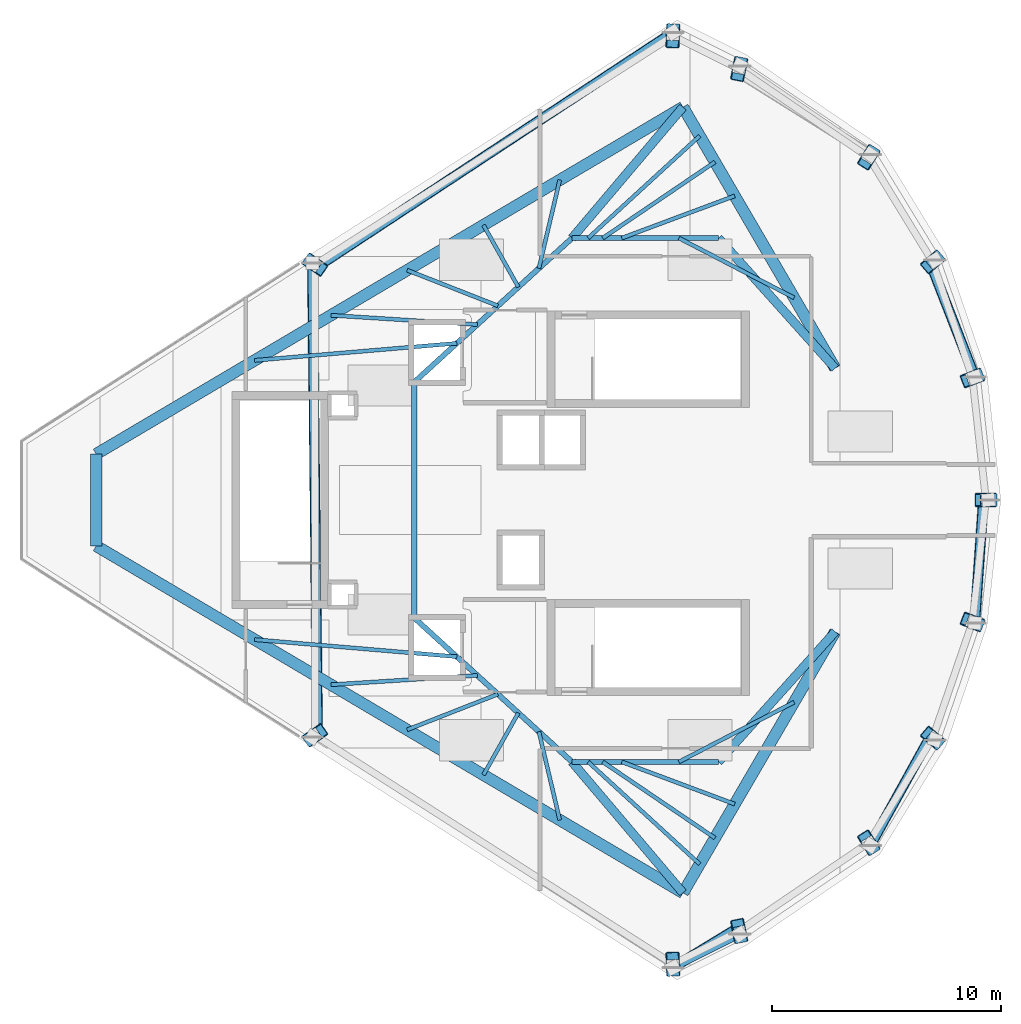
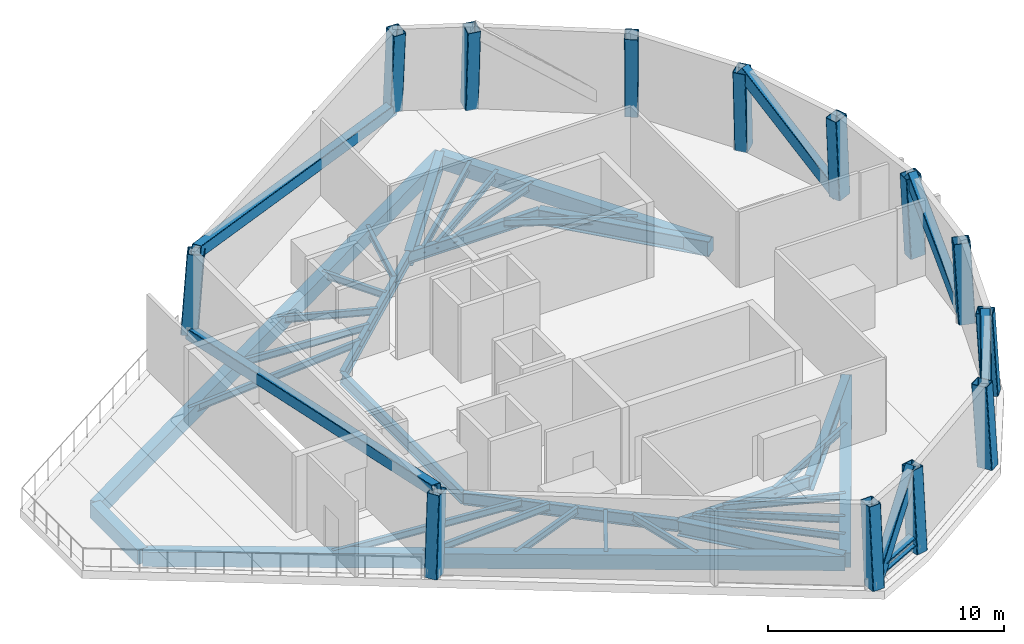
# One storey, part 1 of 4: 32 beams, 20 members.
"""IFC4 building model written with IfcOpenShell, lengths in metres."""

from ifc_helpers import new_model, si_unit, direction, frame, origin, origin_2d, place, context, subcontext, project, spatial, rectangle, hollow_rectangle, i_section, extrude, material, material_profile, profile_set, type_object, element, save


model = new_model("IFC4")

# Units and contexts
model_context = context("Model", 3, precision=1e-05, world=origin(), true_north=direction((0.0, 1.0)))
body_context = subcontext(model_context, "Body", "Model", "MODEL_VIEW")
ifc_project = project(units=[si_unit("LENGTHUNIT", "METRE"), si_unit("AREAUNIT", "SQUARE_METRE"), si_unit("VOLUMEUNIT", "CUBIC_METRE"), si_unit("PLANEANGLEUNIT", "RADIAN"), si_unit("MASSUNIT", "GRAM", prefix="KILO")], contexts=[model_context])

# Site, building, storey
site_placement = place(None, origin())
site = spatial("IfcSite", under=ifc_project, at=site_placement, CompositionType="ELEMENT")
building_placement = place(site_placement, origin())
building = spatial("IfcBuilding", under=site, at=building_placement, Name="Qorvath Tower", CompositionType="ELEMENT")
storey_placement = place(building_placement, frame((0.0, 0.0, 327.0)))
storey = spatial("IfcBuildingStorey", under=building, at=storey_placement, Name="L76", CompositionType="ELEMENT", Elevation=327.0)

# Beams
ifc_material_1 = material(Name="Steel ASTM A992 Grade 50", Category="steel")
ifc_material_profile_1 = material_profile(ifc_material_1, i_section(OverallWidth=0.381103515625, OverallDepth=0.77294921875, WebThickness=0.0166015625, FlangeThickness=0.027099609375, FilletRadius=0.01904296875, at=origin_2d()), Name="W30x173")
ifc_profile_set_1 = profile_set([ifc_material_profile_1], Name="Steel ASTM A992 Grade 50")
beam_type_1 = type_object("IfcBeamType", Name="BM-FG3", PredefinedType="BEAM", material=ifc_profile_set_1)
beam_1_placement = place(storey_placement, frame((-23.60009765625, 11.449951171875, -0.806396484375), z_axis=(0.646321389876, 0.763065305848, 0.0), x_axis=(-0.763065305848, 0.646321389876, 0.0)))
element("IfcBeam", 1, at=beam_1_placement, inside=storey, type_object=beam_type_1, Name="Radial Floor Girder CC1-MC6 L76", PredefinedType="BEAM", context=body_context, shape_type="SweptSolid", body=[
    extrude(i_section(OverallWidth=0.381103515625, OverallDepth=0.77294921875, WebThickness=0.0166015625, FlangeThickness=0.027099609375, FilletRadius=0.01904296875, at=origin_2d()), origin(), (0.0, 0.0, 1.0), 7.50341796875),
])
for number, where, z_axis, x_axis, name in (
    (2, (-17.199951171875, 11.449951171875, -0.806396484375), (0.667543184261, -0.744571082669, 0.0), (0.744571082669, 0.667543184261, 0.0), "Radial Floor Girder CC2-MC5 L76"),
    (3, (-17.199951171875, -11.449951171875, -0.806396484375), (0.667543184261, 0.744571082669, 0.0), (-0.744571082669, 0.667543184261, 0.0), "Radial Floor Girder CC3-MC4 L76"),
):
    element("IfcBeam", number, at=place(storey_placement, frame(where, z_axis=z_axis, x_axis=x_axis)), inside=storey, type_object=beam_type_1, Name=name, PredefinedType="BEAM", context=body_context, shape_type="SweptSolid", body=[
        extrude(i_section(OverallWidth=0.381103515625, OverallDepth=0.77294921875, WebThickness=0.0166015625, FlangeThickness=0.027099609375, FilletRadius=0.01904296875, at=origin_2d()), origin(), (0.0, 0.0, 1.0), 7.644775390625),
    ])
beam_2_placement = place(storey_placement, frame((-23.60009765625, -11.449951171875, -0.806396484375), z_axis=(0.646321389876, -0.763065305848, 0.0), x_axis=(0.763065305848, 0.646321389876, 0.0)))
element("IfcBeam", 4, at=beam_2_placement, inside=storey, type_object=beam_type_1, Name="Radial Floor Girder CC4-MC3 L76", PredefinedType="BEAM", context=body_context, shape_type="SweptSolid", body=[
    extrude(i_section(OverallWidth=0.381103515625, OverallDepth=0.77294921875, WebThickness=0.0166015625, FlangeThickness=0.027099609375, FilletRadius=0.01904296875, at=origin_2d()), origin(), (0.0, 0.0, 1.0), 7.50341796875),
])
ifc_material_2 = material(Name="Steel ASTM A992 Grade 50", Category="steel")
ifc_material_profile_2 = material_profile(ifc_material_2, i_section(OverallWidth=0.22998046875, OverallDepth=0.616943359375, WebThickness=0.01318359375, FlangeThickness=0.022216796875, FilletRadius=0.014892578125, at=origin_2d()), Name="W24x94")
ifc_profile_set_2 = profile_set([ifc_material_profile_2], Name="Steel ASTM A992 Grade 50")
beam_type_2 = type_object("IfcBeamType", Name="BM-FG6", PredefinedType="BEAM", material=ifc_profile_set_2)
for number, where, z_axis, x_axis, name in (
    (5, (-23.60009765625, 11.449951171875, -0.728515625), (1.0, 0.0, 0.0), (0.0, 1.0, 0.0), "Core Ring Girder CC1-CC2 L76"),
    (6, (-17.199951171875, -11.449951171875, -0.728515625), (-1.0, 0.0, 0.0), (0.0, -1.0, 0.0), "Core Ring Girder CC3-CC4 L76"),
):
    element("IfcBeam", number, at=place(storey_placement, frame(where, z_axis=z_axis, x_axis=x_axis)), inside=storey, type_object=beam_type_2, Name=name, PredefinedType="BEAM", context=body_context, shape_type="SweptSolid", body=[
        extrude(i_section(OverallWidth=0.22998046875, OverallDepth=0.616943359375, WebThickness=0.01318359375, FlangeThickness=0.022216796875, FilletRadius=0.014892578125, at=origin_2d()), origin(), (0.0, 0.0, 1.0), 6.400146484375),
    ])
beam_3_placement = place(storey_placement, frame((-23.60009765625, -11.449951171875, -0.728515625), z_axis=(-0.73847813985, 0.6742774184, 0.0), x_axis=(-0.6742774184, -0.73847813985, 0.0)))
element("IfcBeam", 7, at=beam_3_placement, inside=storey, type_object=beam_type_2, Name="Core Ring Girder CC4-CC6 L76", PredefinedType="BEAM", context=body_context, shape_type="SweptSolid", body=[
    extrude(i_section(OverallWidth=0.22998046875, OverallDepth=0.616943359375, WebThickness=0.01318359375, FlangeThickness=0.022216796875, FilletRadius=0.014892578125, at=origin_2d()), origin(), (0.0, 0.0, 1.0), 9.343505859375),
])
beam_4_placement = place(storey_placement, frame((-30.5, -5.14990234375, -0.728515625), z_axis=(0.0, 1.0, 0.0), x_axis=(-1.0, 0.0, 0.0)))
element("IfcBeam", 8, at=beam_4_placement, inside=storey, type_object=beam_type_2, Name="Core Ring Girder CC6-CC5 L76", PredefinedType="BEAM", context=body_context, shape_type="SweptSolid", body=[
    extrude(i_section(OverallWidth=0.22998046875, OverallDepth=0.616943359375, WebThickness=0.01318359375, FlangeThickness=0.022216796875, FilletRadius=0.014892578125, at=origin_2d()), origin(), (0.0, 0.0, 1.0), 10.2998046875),
])
beam_5_placement = place(storey_placement, frame((-30.5, 5.14990234375, -0.728515625), z_axis=(0.73847813985, 0.6742774184, 0.0), x_axis=(-0.6742774184, 0.73847813985, 0.0)))
element("IfcBeam", 9, at=beam_5_placement, inside=storey, type_object=beam_type_2, Name="Core Ring Girder CC5-CC1 L76", PredefinedType="BEAM", context=body_context, shape_type="SweptSolid", body=[
    extrude(i_section(OverallWidth=0.22998046875, OverallDepth=0.616943359375, WebThickness=0.01318359375, FlangeThickness=0.022216796875, FilletRadius=0.014892578125, at=origin_2d()), origin(), (0.0, 0.0, 1.0), 9.343505859375),
])
ifc_material_3 = material(Name="Steel ASTM A992 Grade 50", Category="steel")
ifc_material_profile_3 = material_profile(ifc_material_3, i_section(OverallWidth=0.1708984375, OverallDepth=0.35107421875, WebThickness=0.0068359375, FlangeThickness=0.009765625, FilletRadius=0.010009765625, at=origin_2d()), Name="W14x30")
ifc_profile_set_3 = profile_set([ifc_material_profile_3], Name="Steel ASTM A992 Grade 50")
beam_type_3 = type_object("IfcBeamType", Name="BM-FJ4", PredefinedType="JOIST", material=ifc_profile_set_3)
beam_6_placement = place(storey_placement, frame((-18.927978515625, 11.449951171875, -0.595458984375), z_axis=(0.887840529015, -0.460151274082, 0.0), x_axis=(0.460151274082, 0.887840529015, 0.0)))
element("IfcBeam", 10, at=beam_6_placement, inside=storey, type_object=beam_type_3, Name="Composite Floor Joist NE2 L76", PredefinedType="JOIST", context=body_context, shape_type="SweptSolid", body=[
    extrude(i_section(OverallWidth=0.1708984375, OverallDepth=0.35107421875, WebThickness=0.0068359375, FlangeThickness=0.009765625, FilletRadius=0.010009765625, at=origin_2d()), origin(), (0.0, 0.0, 1.0), 5.670654296875),
])
beam_7_placement = place(storey_placement, frame((-21.424072265625, 11.449951171875, -0.595458984375), z_axis=(0.936775909139, 0.349929844478, 0.0), x_axis=(-0.349929844478, 0.936775909139, 0.0)))
element("IfcBeam", 11, at=beam_7_placement, inside=storey, type_object=beam_type_3, Name="Composite Floor Joist NE5 L76", PredefinedType="JOIST", context=body_context, shape_type="SweptSolid", body=[
    extrude(i_section(OverallWidth=0.1708984375, OverallDepth=0.35107421875, WebThickness=0.0068359375, FlangeThickness=0.009765625, FilletRadius=0.010009765625, at=origin_2d()), origin(), (0.0, 0.0, 1.0), 5.268798828125),
])
beam_8_placement = place(storey_placement, frame((-22.256103515625, 11.449951171875, -0.595458984375), z_axis=(0.827400561462, 0.56161224247, 0.0), x_axis=(-0.56161224247, 0.827400561462, 0.0)))
element("IfcBeam", 12, at=beam_8_placement, inside=storey, type_object=beam_type_3, Name="Composite Floor Joist NE6 L76", PredefinedType="JOIST", context=body_context, shape_type="SweptSolid", body=[
    extrude(i_section(OverallWidth=0.1708984375, OverallDepth=0.35107421875, WebThickness=0.0068359375, FlangeThickness=0.009765625, FilletRadius=0.010009765625, at=origin_2d()), origin(), (0.0, 0.0, 1.0), 5.925537109375),
])
beam_9_placement = place(storey_placement, frame((-22.89599609375, 11.449951171875, -0.595458984375), z_axis=(0.737232260457, 0.675639396528, 0.0), x_axis=(-0.675639396528, 0.737232260457, 0.0)))
element("IfcBeam", 13, at=beam_9_placement, inside=storey, type_object=beam_type_3, Name="Composite Floor Joist NE7 L76", PredefinedType="JOIST", context=body_context, shape_type="SweptSolid", body=[
    extrude(i_section(OverallWidth=0.1708984375, OverallDepth=0.35107421875, WebThickness=0.0068359375, FlangeThickness=0.009765625, FilletRadius=0.010009765625, at=origin_2d()), origin(), (0.0, 0.0, 1.0), 6.615478515625),
])
beam_10_placement = place(storey_placement, frame((-18.927978515625, -11.449951171875, -0.595458984375), z_axis=(0.887840529015, 0.460151274082, 0.0), x_axis=(-0.460151274082, 0.887840529015, 0.0)))
element("IfcBeam", 14, at=beam_10_placement, inside=storey, type_object=beam_type_3, Name="Composite Floor Joist SE2 L76", PredefinedType="JOIST", context=body_context, shape_type="SweptSolid", body=[
    extrude(i_section(OverallWidth=0.1708984375, OverallDepth=0.35107421875, WebThickness=0.0068359375, FlangeThickness=0.009765625, FilletRadius=0.010009765625, at=origin_2d()), origin(), (0.0, 0.0, 1.0), 5.670654296875),
])
beam_11_placement = place(storey_placement, frame((-21.424072265625, -11.449951171875, -0.595458984375), z_axis=(0.936775909139, -0.349929844478, 0.0), x_axis=(0.349929844478, 0.936775909139, 0.0)))
element("IfcBeam", 15, at=beam_11_placement, inside=storey, type_object=beam_type_3, Name="Composite Floor Joist SE5 L76", PredefinedType="JOIST", context=body_context, shape_type="SweptSolid", body=[
    extrude(i_section(OverallWidth=0.1708984375, OverallDepth=0.35107421875, WebThickness=0.0068359375, FlangeThickness=0.009765625, FilletRadius=0.010009765625, at=origin_2d()), origin(), (0.0, 0.0, 1.0), 5.268798828125),
])
beam_12_placement = place(storey_placement, frame((-22.256103515625, -11.449951171875, -0.595458984375), z_axis=(0.827400561462, -0.56161224247, 0.0), x_axis=(0.56161224247, 0.827400561462, 0.0)))
element("IfcBeam", 16, at=beam_12_placement, inside=storey, type_object=beam_type_3, Name="Composite Floor Joist SE6 L76", PredefinedType="JOIST", context=body_context, shape_type="SweptSolid", body=[
    extrude(i_section(OverallWidth=0.1708984375, OverallDepth=0.35107421875, WebThickness=0.0068359375, FlangeThickness=0.009765625, FilletRadius=0.010009765625, at=origin_2d()), origin(), (0.0, 0.0, 1.0), 5.925537109375),
])
beam_13_placement = place(storey_placement, frame((-22.89599609375, -11.449951171875, -0.595458984375), z_axis=(0.737232260457, -0.675639396528, 0.0), x_axis=(0.675639396528, 0.737232260457, 0.0)))
element("IfcBeam", 17, at=beam_13_placement, inside=storey, type_object=beam_type_3, Name="Composite Floor Joist SE7 L76", PredefinedType="JOIST", context=body_context, shape_type="SweptSolid", body=[
    extrude(i_section(OverallWidth=0.1708984375, OverallDepth=0.35107421875, WebThickness=0.0068359375, FlangeThickness=0.009765625, FilletRadius=0.010009765625, at=origin_2d()), origin(), (0.0, 0.0, 1.0), 6.615478515625),
])
beam_14_placement = place(storey_placement, frame((-28.636962890625, 6.85107421875, -0.595458984375), z_axis=(-0.996436150147, -0.084350451576, 0.0), x_axis=(0.084350451576, -0.996436150147, 0.0)))
element("IfcBeam", 18, at=beam_14_placement, inside=storey, type_object=beam_type_3, Name="Composite Floor Joist NW2 L76", PredefinedType="JOIST", context=body_context, shape_type="SweptSolid", body=[
    extrude(i_section(OverallWidth=0.1708984375, OverallDepth=0.35107421875, WebThickness=0.0068359375, FlangeThickness=0.009765625, FilletRadius=0.010009765625, at=origin_2d()), origin(), (0.0, 0.0, 1.0), 8.87109375),
])
beam_15_placement = place(storey_placement, frame((-27.739990234375, 7.669921875, -0.595458984375), z_axis=(-0.998006998641, 0.063103333222, 0.0), x_axis=(-0.063103333222, -0.998006998641, 0.0)))
element("IfcBeam", 19, at=beam_15_placement, inside=storey, type_object=beam_type_3, Name="Composite Floor Joist NW3 L76", PredefinedType="JOIST", context=body_context, shape_type="SweptSolid", body=[
    extrude(i_section(OverallWidth=0.1708984375, OverallDepth=0.35107421875, WebThickness=0.0068359375, FlangeThickness=0.009765625, FilletRadius=0.010009765625, at=origin_2d()), origin(), (0.0, 0.0, 1.0), 6.41455078125),
])
beam_16_placement = place(storey_placement, frame((-26.843017578125, 8.489013671875, -0.595458984375), z_axis=(-0.930720832638, 0.365730408489, 0.0), x_axis=(-0.365730408489, -0.930720832638, 0.0)))
element("IfcBeam", 20, at=beam_16_placement, inside=storey, type_object=beam_type_3, Name="Composite Floor Joist NW4 L76", PredefinedType="JOIST", context=body_context, shape_type="SweptSolid", body=[
    extrude(i_section(OverallWidth=0.1708984375, OverallDepth=0.35107421875, WebThickness=0.0068359375, FlangeThickness=0.009765625, FilletRadius=0.010009765625, at=origin_2d()), origin(), (0.0, 0.0, 1.0), 4.259033203125),
])
beam_17_placement = place(storey_placement, frame((-25.946044921875, 9.30810546875, -0.595458984375), z_axis=(-0.490626385489, 0.871370041866, 0.0), x_axis=(-0.871370041866, -0.490626385489, 0.0)))
element("IfcBeam", 21, at=beam_17_placement, inside=storey, type_object=beam_type_3, Name="Composite Floor Joist NW5 L76", PredefinedType="JOIST", context=body_context, shape_type="SweptSolid", body=[
    extrude(i_section(OverallWidth=0.1708984375, OverallDepth=0.35107421875, WebThickness=0.0068359375, FlangeThickness=0.009765625, FilletRadius=0.010009765625, at=origin_2d()), origin(), (0.0, 0.0, 1.0), 3.110595703125),
])
beam_18_placement = place(storey_placement, frame((-25.049072265625, 10.126953125, -0.595458984375), z_axis=(0.22966321917, 0.973270160726, 0.0), x_axis=(-0.973270160726, 0.22966321917, 0.0)))
element("IfcBeam", 22, at=beam_18_placement, inside=storey, type_object=beam_type_3, Name="Composite Floor Joist NW6 L76", PredefinedType="JOIST", context=body_context, shape_type="SweptSolid", body=[
    extrude(i_section(OverallWidth=0.1708984375, OverallDepth=0.35107421875, WebThickness=0.0068359375, FlangeThickness=0.009765625, FilletRadius=0.010009765625, at=origin_2d()), origin(), (0.0, 0.0, 1.0), 3.969482421875),
])
beam_19_placement = place(storey_placement, frame((-28.636962890625, -6.85107421875, -0.595458984375), z_axis=(-0.996436150147, 0.084350451576, 0.0), x_axis=(-0.084350451576, -0.996436150147, 0.0)))
element("IfcBeam", 23, at=beam_19_placement, inside=storey, type_object=beam_type_3, Name="Composite Floor Joist SW2 L76", PredefinedType="JOIST", context=body_context, shape_type="SweptSolid", body=[
    extrude(i_section(OverallWidth=0.1708984375, OverallDepth=0.35107421875, WebThickness=0.0068359375, FlangeThickness=0.009765625, FilletRadius=0.010009765625, at=origin_2d()), origin(), (0.0, 0.0, 1.0), 8.87109375),
])
beam_20_placement = place(storey_placement, frame((-27.739990234375, -7.669921875, -0.595458984375), z_axis=(-0.998006998641, -0.063103333222, 0.0), x_axis=(0.063103333222, -0.998006998641, 0.0)))
element("IfcBeam", 24, at=beam_20_placement, inside=storey, type_object=beam_type_3, Name="Composite Floor Joist SW3 L76", PredefinedType="JOIST", context=body_context, shape_type="SweptSolid", body=[
    extrude(i_section(OverallWidth=0.1708984375, OverallDepth=0.35107421875, WebThickness=0.0068359375, FlangeThickness=0.009765625, FilletRadius=0.010009765625, at=origin_2d()), origin(), (0.0, 0.0, 1.0), 6.41455078125),
])
beam_21_placement = place(storey_placement, frame((-26.843017578125, -8.489013671875, -0.595458984375), z_axis=(-0.930720832638, -0.365730408489, 0.0), x_axis=(0.365730408489, -0.930720832638, 0.0)))
element("IfcBeam", 25, at=beam_21_placement, inside=storey, type_object=beam_type_3, Name="Composite Floor Joist SW4 L76", PredefinedType="JOIST", context=body_context, shape_type="SweptSolid", body=[
    extrude(i_section(OverallWidth=0.1708984375, OverallDepth=0.35107421875, WebThickness=0.0068359375, FlangeThickness=0.009765625, FilletRadius=0.010009765625, at=origin_2d()), origin(), (0.0, 0.0, 1.0), 4.259033203125),
])
beam_22_placement = place(storey_placement, frame((-25.946044921875, -9.30810546875, -0.595458984375), z_axis=(-0.490626385489, -0.871370041866, 0.0), x_axis=(0.871370041866, -0.490626385489, 0.0)))
element("IfcBeam", 26, at=beam_22_placement, inside=storey, type_object=beam_type_3, Name="Composite Floor Joist SW5 L76", PredefinedType="JOIST", context=body_context, shape_type="SweptSolid", body=[
    extrude(i_section(OverallWidth=0.1708984375, OverallDepth=0.35107421875, WebThickness=0.0068359375, FlangeThickness=0.009765625, FilletRadius=0.010009765625, at=origin_2d()), origin(), (0.0, 0.0, 1.0), 3.110595703125),
])
beam_23_placement = place(storey_placement, frame((-25.049072265625, -10.126953125, -0.595458984375), z_axis=(0.22966321917, -0.973270160726, 0.0), x_axis=(0.973270160726, 0.22966321917, 0.0)))
element("IfcBeam", 27, at=beam_23_placement, inside=storey, type_object=beam_type_3, Name="Composite Floor Joist SW6 L76", PredefinedType="JOIST", context=body_context, shape_type="SweptSolid", body=[
    extrude(i_section(OverallWidth=0.1708984375, OverallDepth=0.35107421875, WebThickness=0.0068359375, FlangeThickness=0.009765625, FilletRadius=0.010009765625, at=origin_2d()), origin(), (0.0, 0.0, 1.0), 3.969482421875),
])
ifc_material_4 = material(Name="Concrete C45/55", Category="concrete")
ifc_material_profile_4 = material_profile(ifc_material_4, rectangle(XDim=0.5, YDim=0.75, at=origin_2d()), Name="RCB 750x500")
ifc_profile_set_4 = profile_set([ifc_material_profile_4], Name="Concrete C45/55")
beam_type_4 = type_object("IfcBeamType", Name="BM-RCB3", PredefinedType="SPANDREL", material=ifc_profile_set_4)
beam_24_placement = place(storey_placement, frame((-44.402587890625, 2.007568359375, -0.794921875), z_axis=(0.0, -1.0, 0.0), x_axis=(1.0, 0.0, 0.0)))
element("IfcBeam", 28, at=beam_24_placement, inside=storey, type_object=beam_type_4, Name="Perimeter Loggia Frame Beam MC1-MC2 L76", PredefinedType="SPANDREL", context=body_context, shape_type="SweptSolid", body=[
    extrude(rectangle(XDim=0.5, YDim=0.75, at=origin_2d()), origin(), (0.0, 0.0, 1.0), 4.01513671875),
])
beam_25_placement = place(storey_placement, frame((-44.402587890625, -2.007568359375, -0.794921875), z_axis=(0.860780849348, -0.508975765038, 0.0), x_axis=(0.508975765038, 0.860780849348, 0.0)))
element("IfcBeam", 29, at=beam_25_placement, inside=storey, type_object=beam_type_4, Name="Perimeter Loggia Frame Beam MC2-MC3 L76", PredefinedType="SPANDREL", context=body_context, shape_type="SweptSolid", body=[
    extrude(rectangle(XDim=0.5, YDim=0.75, at=origin_2d()), origin(), (0.0, 0.0, 1.0), 29.801025390625),
])
for number, where, z_axis, x_axis, name in (
    (30, (-18.75048828125, -17.175537109375, -0.794921875), (0.503502256692, 0.863993910572, 0.0), (-0.863993910572, 0.503502256692, 0.0), "Perimeter Loggia Frame Beam MC3-MC4 L76"),
    (31, (-12.0966796875, 5.7578125, -0.794921875), (-0.503502256692, 0.863993910572, 0.0), (-0.863993910572, -0.503502256692, 0.0), "Perimeter Loggia Frame Beam MC5-MC6 L76"),
):
    element("IfcBeam", number, at=place(storey_placement, frame(where, z_axis=z_axis, x_axis=x_axis)), inside=storey, type_object=beam_type_4, Name=name, PredefinedType="SPANDREL", context=body_context, shape_type="SweptSolid", body=[
        extrude(rectangle(XDim=0.5, YDim=0.75, at=origin_2d()), origin(), (0.0, 0.0, 1.0), 13.215087890625),
    ])
beam_26_placement = place(storey_placement, frame((-18.75048828125, 17.175537109375, -0.794921875), z_axis=(-0.860780849348, -0.508975765038, 0.0), x_axis=(0.508975765038, -0.860780849348, 0.0)))
element("IfcBeam", 32, at=beam_26_placement, inside=storey, type_object=beam_type_4, Name="Perimeter Loggia Frame Beam MC6-MC1 L76", PredefinedType="SPANDREL", context=body_context, shape_type="SweptSolid", body=[
    extrude(rectangle(XDim=0.5, YDim=0.75, at=origin_2d()), origin(), (0.0, 0.0, 1.0), 29.801025390625),
])

# Members
ifc_material_5 = material(Name="Steel ASTM A572 Grade 50", Category="steel")
ifc_material_profile_5 = material_profile(ifc_material_5, hollow_rectangle(XDim=0.60009765625, YDim=0.75, WallThickness=0.031982421875, InnerFilletRadius=0.031982421875, OuterFilletRadius=0.06396484375, at=origin_2d()), Name="CROWN BOX 750x600x32")
ifc_profile_set_5 = profile_set([ifc_material_profile_5], Name="Steel ASTM A572 Grade 50")
member_type_1 = type_object("IfcMemberType", Name="MEM-CF1", PredefinedType="USERDEFINED", material=ifc_profile_set_5)
for number, where, z_axis, x_axis, name in (
    (33, (-34.949951171875, 10.365478515625, 0.0), (0.053250579901, -0.036950565792, 0.997897305051), (0.570093876895, 0.821579558854, 0.0), "CROWN FRAME Post L76-01"),
    (34, (-34.949951171875, -10.365478515625, 0.0), (0.053250579901, 0.036950565792, 0.997897305051), (-0.570093876895, 0.821579558854, 0.0), "CROWN FRAME Post L76-02"),
):
    element("IfcMember", number, at=place(storey_placement, frame(where, z_axis=z_axis, x_axis=x_axis)), inside=storey, type_object=member_type_1, Name=name, ObjectType="CROWN FRAME", PredefinedType="USERDEFINED", context=body_context, shape_type="SweptSolid", body=[
        extrude(hollow_rectangle(XDim=0.60009765625, YDim=0.75, WallThickness=0.031982421875, InnerFilletRadius=0.031982421875, OuterFilletRadius=0.06396484375, at=origin_2d()), origin(), (0.0, 0.0, 1.0), 4.208740234375),
    ])
member_1_placement = place(storey_placement, frame((-19.1865234375, -20.440185546875, 0.0), z_axis=(-0.002898741935, 0.072816397399, 0.997341150041), x_axis=(-0.999208565601, -0.039777411051, 0.0)))
element("IfcMember", 35, at=member_1_placement, inside=storey, type_object=member_type_1, Name="CROWN FRAME Post L76-03", ObjectType="CROWN FRAME", PredefinedType="USERDEFINED", context=body_context, shape_type="SweptSolid", body=[
    extrude(hollow_rectangle(XDim=0.60009765625, YDim=0.75, WallThickness=0.031982421875, InnerFilletRadius=0.031982421875, OuterFilletRadius=0.06396484375, at=origin_2d()), origin(), (0.0, 0.0, 1.0), 4.211181640625),
])
member_2_placement = place(storey_placement, frame((-16.2666015625, -18.980224609375, 0.0), z_axis=(-0.013279988812, 0.067617759627, 0.997622914973), x_axis=(-0.981254504539, -0.192716364957, 0.0)))
element("IfcMember", 36, at=member_2_placement, inside=storey, type_object=member_type_1, Name="CROWN FRAME Post L76-04", ObjectType="CROWN FRAME", PredefinedType="USERDEFINED", context=body_context, shape_type="SweptSolid", body=[
    extrude(hollow_rectangle(XDim=0.60009765625, YDim=0.75, WallThickness=0.031982421875, InnerFilletRadius=0.031982421875, OuterFilletRadius=0.06396484375, at=origin_2d()), origin(), (0.0, 0.0, 1.0), 4.2099609375),
])
member_3_placement = place(storey_placement, frame((-10.559814453125, -15.095703125, 0.0), z_axis=(-0.033647144259, 0.053777418496, 0.997985901175), x_axis=(-0.847741322431, -0.5304098889, 0.0)))
element("IfcMember", 37, at=member_3_placement, inside=storey, type_object=member_type_1, Name="CROWN FRAME Post L76-05", ObjectType="CROWN FRAME", PredefinedType="USERDEFINED", context=body_context, shape_type="SweptSolid", body=[
    extrude(hollow_rectangle(XDim=0.60009765625, YDim=0.75, WallThickness=0.031982421875, InnerFilletRadius=0.031982421875, OuterFilletRadius=0.06396484375, at=origin_2d()), origin(), (0.0, 0.0, 1.0), 4.20849609375),
])
member_4_placement = place(storey_placement, frame((-7.739013671875, -10.485595703125, 0.0), z_axis=(-0.04369901293, 0.0373733922, 0.998345444135), x_axis=(-0.649959832838, -0.759968562309, 0.0)))
element("IfcMember", 38, at=member_4_placement, inside=storey, type_object=member_type_1, Name="CROWN FRAME Post L76-06", ObjectType="CROWN FRAME", PredefinedType="USERDEFINED", context=body_context, shape_type="SweptSolid", body=[
    extrude(hollow_rectangle(XDim=0.60009765625, YDim=0.75, WallThickness=0.031982421875, InnerFilletRadius=0.031982421875, OuterFilletRadius=0.06396484375, at=origin_2d()), origin(), (0.0, 0.0, 1.0), 4.20703125),
])
member_5_placement = place(storey_placement, frame((-5.990478515625, -5.371826171875, 0.0), z_axis=(-0.049977670564, 0.019155204746, 0.99856662801), x_axis=(-0.357888732889, -0.933764239447, 0.0)))
element("IfcMember", 39, at=member_5_placement, inside=storey, type_object=member_type_1, Name="CROWN FRAME Post L76-07", ObjectType="CROWN FRAME", PredefinedType="USERDEFINED", context=body_context, shape_type="SweptSolid", body=[
    extrude(hollow_rectangle(XDim=0.60009765625, YDim=0.75, WallThickness=0.031982421875, InnerFilletRadius=0.031982421875, OuterFilletRadius=0.06396484375, at=origin_2d()), origin(), (0.0, 0.0, 1.0), 4.2060546875),
])
member_6_placement = place(storey_placement, frame((-5.398193359375, 0.0, 0.0), z_axis=(-0.052071330648, 0.0, 0.998643368037), x_axis=(0.0, -1.0, 0.0)))
element("IfcMember", 40, at=member_6_placement, inside=storey, type_object=member_type_1, Name="CROWN FRAME Post L76-08", ObjectType="CROWN FRAME", PredefinedType="USERDEFINED", context=body_context, shape_type="SweptSolid", body=[
    extrude(hollow_rectangle(XDim=0.60009765625, YDim=0.75, WallThickness=0.031982421875, InnerFilletRadius=0.031982421875, OuterFilletRadius=0.06396484375, at=origin_2d()), origin(), (0.0, 0.0, 1.0), 4.20556640625),
])
member_7_placement = place(storey_placement, frame((-5.990478515625, 5.371826171875, 0.0), z_axis=(-0.049977670564, -0.019155204746, 0.99856662801), x_axis=(0.357888732889, -0.933764239447, 0.0)))
element("IfcMember", 41, at=member_7_placement, inside=storey, type_object=member_type_1, Name="CROWN FRAME Post L76-09", ObjectType="CROWN FRAME", PredefinedType="USERDEFINED", context=body_context, shape_type="SweptSolid", body=[
    extrude(hollow_rectangle(XDim=0.60009765625, YDim=0.75, WallThickness=0.031982421875, InnerFilletRadius=0.031982421875, OuterFilletRadius=0.06396484375, at=origin_2d()), origin(), (0.0, 0.0, 1.0), 4.2060546875),
])
member_8_placement = place(storey_placement, frame((-7.739013671875, 10.485595703125, 0.0), z_axis=(-0.04369901293, -0.0373733922, 0.998345444135), x_axis=(0.649959832838, -0.759968562309, 0.0)))
element("IfcMember", 42, at=member_8_placement, inside=storey, type_object=member_type_1, Name="CROWN FRAME Post L76-10", ObjectType="CROWN FRAME", PredefinedType="USERDEFINED", context=body_context, shape_type="SweptSolid", body=[
    extrude(hollow_rectangle(XDim=0.60009765625, YDim=0.75, WallThickness=0.031982421875, InnerFilletRadius=0.031982421875, OuterFilletRadius=0.06396484375, at=origin_2d()), origin(), (0.0, 0.0, 1.0), 4.20703125),
])
member_9_placement = place(storey_placement, frame((-10.559814453125, 15.095703125, 0.0), z_axis=(-0.033647144259, -0.053777418496, 0.997985901175), x_axis=(0.847741322431, -0.5304098889, 0.0)))
element("IfcMember", 43, at=member_9_placement, inside=storey, type_object=member_type_1, Name="CROWN FRAME Post L76-11", ObjectType="CROWN FRAME", PredefinedType="USERDEFINED", context=body_context, shape_type="SweptSolid", body=[
    extrude(hollow_rectangle(XDim=0.60009765625, YDim=0.75, WallThickness=0.031982421875, InnerFilletRadius=0.031982421875, OuterFilletRadius=0.06396484375, at=origin_2d()), origin(), (0.0, 0.0, 1.0), 4.20849609375),
])
member_10_placement = place(storey_placement, frame((-16.2666015625, 18.980224609375, 0.0), z_axis=(-0.013279988812, -0.067617759627, 0.997622914973), x_axis=(0.981254504539, -0.192716364957, 0.0)))
element("IfcMember", 44, at=member_10_placement, inside=storey, type_object=member_type_1, Name="CROWN FRAME Post L76-12", ObjectType="CROWN FRAME", PredefinedType="USERDEFINED", context=body_context, shape_type="SweptSolid", body=[
    extrude(hollow_rectangle(XDim=0.60009765625, YDim=0.75, WallThickness=0.031982421875, InnerFilletRadius=0.031982421875, OuterFilletRadius=0.06396484375, at=origin_2d()), origin(), (0.0, 0.0, 1.0), 4.2099609375),
])
member_11_placement = place(storey_placement, frame((-19.1865234375, 20.440185546875, 0.0), z_axis=(-0.002898741935, -0.072816397399, 0.997341150041), x_axis=(0.999208565601, -0.039777411051, 0.0)))
element("IfcMember", 45, at=member_11_placement, inside=storey, type_object=member_type_1, Name="CROWN FRAME Post L76-13", ObjectType="CROWN FRAME", PredefinedType="USERDEFINED", context=body_context, shape_type="SweptSolid", body=[
    extrude(hollow_rectangle(XDim=0.60009765625, YDim=0.75, WallThickness=0.031982421875, InnerFilletRadius=0.031982421875, OuterFilletRadius=0.06396484375, at=origin_2d()), origin(), (0.0, 0.0, 1.0), 4.211181640625),
])
ifc_material_6 = material(Name="Steel ASTM A572 Grade 50", Category="steel")
ifc_material_profile_6 = material_profile(ifc_material_6, hollow_rectangle(XDim=0.449951171875, YDim=0.60009765625, WallThickness=0.02490234375, InnerFilletRadius=0.02490234375, OuterFilletRadius=0.050048828125, at=origin_2d()), Name="CROWN BOX 600x450x25")
ifc_profile_set_6 = profile_set([ifc_material_profile_6], Name="Steel ASTM A572 Grade 50")
member_type_2 = type_object("IfcMemberType", Name="MEM-CF2", PredefinedType="USERDEFINED", material=ifc_profile_set_6)
member_12_placement = place(storey_placement, frame((-34.949951171875, 10.365478515625, 0.0), z_axis=(0.010671966858, -0.979740033614, 0.199988938836), x_axis=(0.999940680349, 0.010892005465, 0.0)))
element("IfcMember", 46, at=member_12_placement, inside=storey, type_object=member_type_2, Name="CROWN FRAME Diagonal Brace L76-01", ObjectType="CROWN FRAME", PredefinedType="USERDEFINED", context=body_context, shape_type="SweptSolid", body=[
    extrude(hollow_rectangle(XDim=0.449951171875, YDim=0.60009765625, WallThickness=0.02490234375, InnerFilletRadius=0.02490234375, OuterFilletRadius=0.050048828125, at=origin_2d()), origin(), (0.0, 0.0, 1.0), 21.0009765625),
])
member_13_placement = place(storey_placement, frame((-19.1865234375, -20.440185546875, 0.0), z_axis=(0.532883384343, 0.324608700411, 0.781450248134), x_axis=(-0.520233300289, 0.854024187755, 0.0)))
element("IfcMember", 47, at=member_13_placement, inside=storey, type_object=member_type_2, Name="CROWN FRAME Diagonal Brace L76-03", ObjectType="CROWN FRAME", PredefinedType="USERDEFINED", context=body_context, shape_type="SweptSolid", body=[
    extrude(hollow_rectangle(XDim=0.449951171875, YDim=0.60009765625, WallThickness=0.02490234375, InnerFilletRadius=0.02490234375, OuterFilletRadius=0.050048828125, at=origin_2d()), origin(), (0.0, 0.0, 1.0), 5.37451171875),
])
member_14_placement = place(storey_placement, frame((-10.559814453125, -15.095703125, 0.0), z_axis=(0.383335225667, 0.693027215221, 0.610546790775), x_axis=(-0.87505625365, 0.484021231919, 0.0)))
element("IfcMember", 48, at=member_14_placement, inside=storey, type_object=member_type_2, Name="CROWN FRAME Diagonal Brace L76-05", ObjectType="CROWN FRAME", PredefinedType="USERDEFINED", context=body_context, shape_type="SweptSolid", body=[
    extrude(hollow_rectangle(XDim=0.449951171875, YDim=0.60009765625, WallThickness=0.02490234375, InnerFilletRadius=0.02490234375, OuterFilletRadius=0.050048828125, at=origin_2d()), origin(), (0.0, 0.0, 1.0), 6.87890625),
])
member_15_placement = place(storey_placement, frame((-5.990478515625, -5.371826171875, 0.0), z_axis=(0.054662493682, 0.786617951924, 0.615015617277), x_axis=(-0.997594242968, 0.069323346703, 0.0)))
element("IfcMember", 49, at=member_15_placement, inside=storey, type_object=member_type_2, Name="CROWN FRAME Diagonal Brace L76-07", ObjectType="CROWN FRAME", PredefinedType="USERDEFINED", context=body_context, shape_type="SweptSolid", body=[
    extrude(hollow_rectangle(XDim=0.449951171875, YDim=0.60009765625, WallThickness=0.02490234375, InnerFilletRadius=0.02490234375, OuterFilletRadius=0.050048828125, at=origin_2d()), origin(), (0.0, 0.0, 1.0), 6.8291015625),
])
member_16_placement = place(storey_placement, frame((-5.990478515625, 5.371826171875, 0.0), z_axis=(-0.285095835655, 0.731271718947, 0.619646703824), x_axis=(-0.931697735765, -0.363234537414, 0.0)))
element("IfcMember", 50, at=member_16_placement, inside=storey, type_object=member_type_2, Name="CROWN FRAME Diagonal Brace L76-09", ObjectType="CROWN FRAME", PredefinedType="USERDEFINED", context=body_context, shape_type="SweptSolid", body=[
    extrude(hollow_rectangle(XDim=0.449951171875, YDim=0.60009765625, WallThickness=0.02490234375, InnerFilletRadius=0.02490234375, OuterFilletRadius=0.050048828125, at=origin_2d()), origin(), (0.0, 0.0, 1.0), 6.778076171875),
])
member_17_placement = place(storey_placement, frame((-19.1865234375, 20.440185546875, 0.0), z_axis=(-0.814741627494, -0.536381065168, 0.220207705035), x_axis=(0.549878940293, -0.835244366052, 0.0)))
element("IfcMember", 51, at=member_17_placement, inside=storey, type_object=member_type_2, Name="CROWN FRAME Diagonal Brace L76-13", ObjectType="CROWN FRAME", PredefinedType="USERDEFINED", context=body_context, shape_type="SweptSolid", body=[
    extrude(hollow_rectangle(XDim=0.449951171875, YDim=0.60009765625, WallThickness=0.02490234375, InnerFilletRadius=0.02490234375, OuterFilletRadius=0.050048828125, at=origin_2d()), origin(), (0.0, 0.0, 1.0), 19.07275390625),
])
ifc_material_7 = material(Name="Steel ASTM A913 Grade 65", Category="steel")
ifc_material_profile_7 = material_profile(ifc_material_7, i_section(OverallWidth=0.4189453125, OverallDepth=0.455078125, WebThickness=0.0419921875, FlangeThickness=0.067626953125, FilletRadius=0.02490234375, at=origin_2d()), Name="W14x370")
ifc_profile_set_7 = profile_set([ifc_material_profile_7], Name="Steel ASTM A913 Grade 65")
member_type_3 = type_object("IfcMemberType", Name="MEM-OT2", PredefinedType="CHORD", material=ifc_profile_set_7)
member_18_placement = place(storey_placement, frame((-19.188232421875, -20.394287109375, 0.6298828125), z_axis=(0.89441219993, 0.447243576383, 0.0), x_axis=(-0.447243576383, 0.89441219993, 0.0)))
element("IfcMember", 52, at=member_18_placement, inside=storey, type_object=member_type_3, Name="Belt Truss Chord L76-1", PredefinedType="CHORD", context=body_context, shape_type="SweptSolid", body=[
    extrude(i_section(OverallWidth=0.4189453125, OverallDepth=0.455078125, WebThickness=0.0419921875, FlangeThickness=0.067626953125, FilletRadius=0.02490234375, at=origin_2d()), origin(), (0.0, 0.0, 1.0), 3.25732421875),
])

save(model, "model.ifc")
